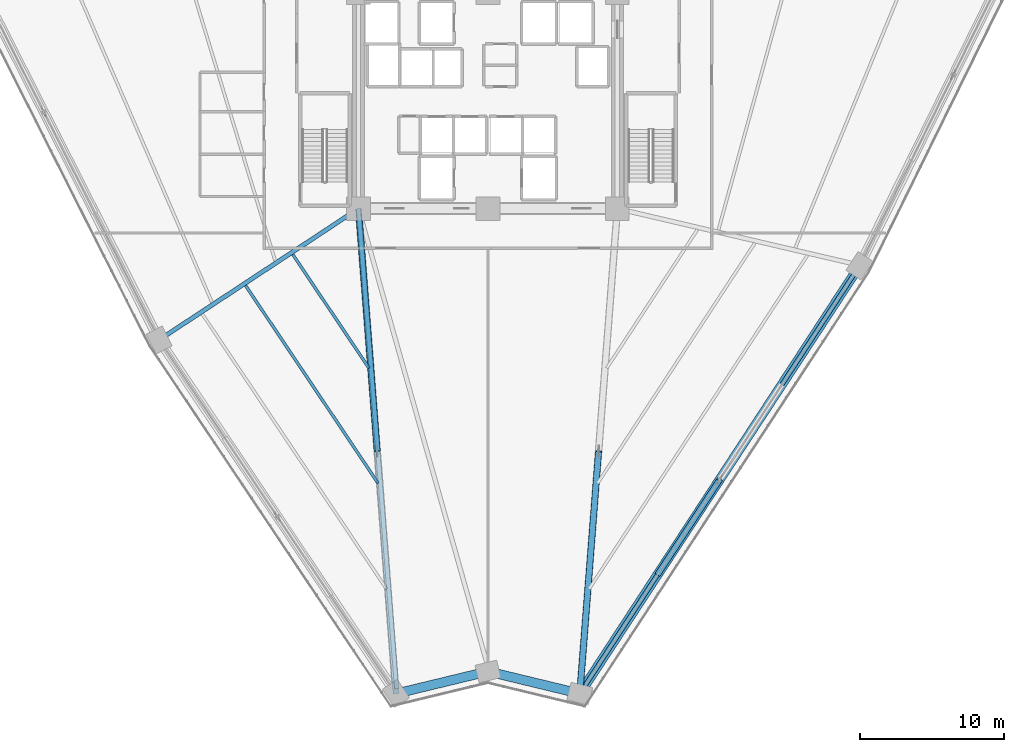
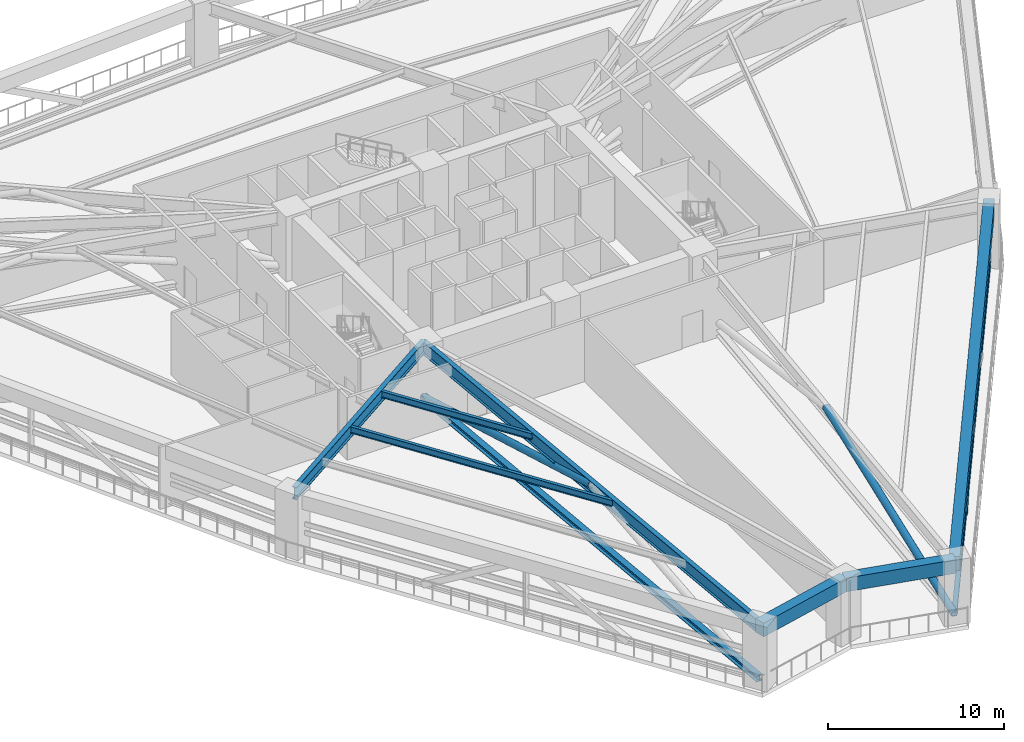
# One storey, part 3 of 25: 7 beams, 5 members.
"""IFC4 building model written with IfcOpenShell, lengths in metres."""

from ifc_helpers import new_model, si_unit, direction, frame, origin, origin_2d, place, context, subcontext, project, spatial, rectangle, hollow_rectangle, hollow_circle, i_section, extrude, source, transform, mapped, material, material_profile, profile_set, type_object, element, save


model = new_model("IFC4")

# Units and contexts
model_context = context("Model", 3, precision=1e-05, world=origin(), true_north=direction((0.0, 1.0)))
body_context = subcontext(model_context, "Body", "Model", "MODEL_VIEW")
ifc_project = project(units=[si_unit("LENGTHUNIT", "METRE"), si_unit("AREAUNIT", "SQUARE_METRE"), si_unit("VOLUMEUNIT", "CUBIC_METRE"), si_unit("PLANEANGLEUNIT", "RADIAN"), si_unit("MASSUNIT", "GRAM", prefix="KILO")], contexts=[model_context])

# Site, building, storey
site_placement = place(None, origin())
site = spatial("IfcSite", under=ifc_project, at=site_placement, CompositionType="ELEMENT")
building_placement = place(site_placement, origin())
building = spatial("IfcBuilding", under=site, at=building_placement, Name="Liaohun Quay Tower", CompositionType="ELEMENT")
storey_placement = place(building_placement, frame((0.0, 0.0, 47.25)))
storey = spatial("IfcBuildingStorey", under=building, at=storey_placement, Name="L12", CompositionType="ELEMENT", Elevation=47.25)

# Beams
ifc_material_1 = material(Name="Precast concrete C55", Category="concrete")
ifc_material_profile_1 = material_profile(ifc_material_1, rectangle(XDim=0.64990234375, YDim=0.949951171875, at=origin_2d()), Name="RC650x950")
ifc_profile_set_1 = profile_set([ifc_material_profile_1], Name="Precast concrete C55")
beam_type_1 = type_object("IfcBeamType", Name="BM-SPD-Z1", PredefinedType="SPANDREL", material=ifc_profile_set_1)
shared_shape_1 = source(origin(), body_context, "Body", "SweptSolid", [
    extrude(rectangle(XDim=0.64990234375, YDim=0.949951171875, at=origin_2d()), origin(), (0.0, 0.0, 1.0), 35.535400390625),
])
beam_1_placement = place(storey_placement, frame((85.833984375, 42.52392578125, 3.844970703125), z_axis=(-0.547256582154, -0.836964893701, 0.0), x_axis=(0.836964893701, -0.547256582154, 0.0)))
element("IfcBeam", 1, at=beam_1_placement, inside=storey, type_object=beam_type_1, Name="L12 Precast Spandrel Beam PC10-PC11", PredefinedType="SPANDREL", context=body_context, shape_type="MappedRepresentation", body=[
    mapped(shared_shape_1, transform((0.0, 0.0, 0.0), x_axis=(1.0, 0.0, 0.0), y_axis=(0.0, 1.0, 0.0), z_axis=(0.0, 0.0, 1.0), scale=1.0)),
])
shared_shape_2 = source(origin(), body_context, "Body", "SweptSolid", [
    extrude(rectangle(XDim=0.64990234375, YDim=0.949951171875, at=origin_2d()), origin(), (0.0, 0.0, 1.0), 6.570556640625),
])
beam_2_placement = place(storey_placement, frame((66.386962890625, 12.781982421875, 3.844970703125), z_axis=(-0.972071394357, 0.23468533033, 0.0), x_axis=(-0.23468533033, -0.972071394357, 0.0)))
element("IfcBeam", 2, at=beam_2_placement, inside=storey, type_object=beam_type_1, Name="L12 Precast Spandrel Beam PC11-PC12", PredefinedType="SPANDREL", context=body_context, shape_type="MappedRepresentation", body=[
    mapped(shared_shape_2, transform((0.0, 0.0, 0.0), x_axis=(1.0, 0.0, 0.0), y_axis=(0.0, 1.0, 0.0), z_axis=(0.0, 0.0, 1.0), scale=1.0)),
])
shared_shape_3 = source(origin(), body_context, "Body", "SweptSolid", [
    extrude(rectangle(XDim=0.64990234375, YDim=0.949951171875, at=origin_2d()), origin(), (0.0, 0.0, 1.0), 6.576904296875),
])
beam_3_placement = place(storey_placement, frame((60.0, 14.323974609375, 3.844970703125), z_axis=(-0.972054757289, -0.2347542307, 0.0), x_axis=(0.2347542307, -0.972054757289, 0.0)))
element("IfcBeam", 3, at=beam_3_placement, inside=storey, type_object=beam_type_1, Name="L12 Precast Spandrel Beam PC12-PC01", PredefinedType="SPANDREL", context=body_context, shape_type="MappedRepresentation", body=[
    mapped(shared_shape_3, transform((0.0, 0.0, 0.0), x_axis=(1.0, 0.0, 0.0), y_axis=(0.0, 1.0, 0.0), z_axis=(0.0, 0.0, 1.0), scale=1.0)),
])
ifc_material_2 = material(Name="Steel Q420D", Category="steel")
ifc_material_profile_2 = material_profile(ifc_material_2, i_section(OverallWidth=0.300048828125, OverallDepth=0.89990234375, WebThickness=0.01611328125, FlangeThickness=0.028076171875, at=origin_2d()), Name="HN900x300x16x28")
ifc_profile_set_2 = profile_set([ifc_material_profile_2], Name="Steel Q420D")
beam_type_2 = type_object("IfcBeamType", Name="BM-RAD-H1", PredefinedType="BEAM", material=ifc_profile_set_2)
shared_shape_4 = source(origin(), body_context, "Body", "SweptSolid", [
    extrude(i_section(OverallWidth=0.300048828125, OverallDepth=0.89990234375, WebThickness=0.01611328125, FlangeThickness=0.028076171875, at=origin_2d()), origin(), (0.0, 0.0, 1.0), 33.48486328125),
])
beam_4_placement = place(storey_placement, frame((51.0, 46.5, 3.8701171875), z_axis=(0.079465572867, -0.996837611012, 0.0), x_axis=(0.996837611012, 0.079465572867, 0.0)))
element("IfcBeam", 4, at=beam_4_placement, inside=storey, type_object=beam_type_2, Name="L12 Radial Primary Girder CC1-PC01", PredefinedType="BEAM", context=body_context, shape_type="MappedRepresentation", body=[
    mapped(shared_shape_4, transform((0.0, 0.0, 0.0), x_axis=(1.0, 0.0, 0.0), y_axis=(0.0, 1.0, 0.0), z_axis=(0.0, 0.0, 1.0), scale=1.0)),
])
ifc_material_3 = material(Name="Steel Q355D", Category="steel")
ifc_material_profile_3 = material_profile(ifc_material_3, i_section(OverallWidth=0.300048828125, OverallDepth=0.85009765625, WebThickness=0.01611328125, FlangeThickness=0.028076171875, at=origin_2d()), Name="HN850x300x16x28")
ifc_profile_set_3 = profile_set([ifc_material_profile_3], Name="Steel Q355D")
beam_type_3 = type_object("IfcBeamType", Name="BM-RAD-H2", PredefinedType="BEAM", material=ifc_profile_set_3)
shared_shape_5 = source(origin(), body_context, "Body", "SweptSolid", [
    extrude(i_section(OverallWidth=0.300048828125, OverallDepth=0.85009765625, WebThickness=0.01611328125, FlangeThickness=0.028076171875, at=origin_2d()), origin(), (0.0, 0.0, 1.0), 16.373291015625),
])
beam_5_placement = place(storey_placement, frame((51.0, 46.5, 3.89501953125), z_axis=(-0.835261562215, -0.549852819113, 0.0), x_axis=(0.549852819113, -0.835261562215, 0.0)))
element("IfcBeam", 5, at=beam_5_placement, inside=storey, type_object=beam_type_3, Name="L12 Radial Primary Girder CC1-PC02", PredefinedType="BEAM", context=body_context, shape_type="MappedRepresentation", body=[
    mapped(shared_shape_5, transform((0.0, 0.0, 0.0), x_axis=(1.0, 0.0, 0.0), y_axis=(0.0, 1.0, 0.0), z_axis=(0.0, 0.0, 1.0), scale=1.0)),
])
ifc_material_profile_4 = material_profile(ifc_material_3, i_section(OverallWidth=0.199951171875, OverallDepth=0.449951171875, WebThickness=0.009033203125, FlangeThickness=0.013916015625, at=origin_2d()), Name="HN450x200x9x14")
ifc_profile_set_4 = profile_set([ifc_material_profile_4], Name="Steel Q355D")
beam_type_4 = type_object("IfcBeamType", Name="BM-SEC-J1", PredefinedType="JOIST", material=ifc_profile_set_4)
shared_shape_6 = source(origin(), body_context, "Body", "SweptSolid", [
    extrude(i_section(OverallWidth=0.199951171875, OverallDepth=0.449951171875, WebThickness=0.009033203125, FlangeThickness=0.013916015625, at=origin_2d()), origin(), (0.0, 0.0, 1.0), 9.51953125),
])
beam_6_placement = place(storey_placement, frame((51.73388671875, 35.406005859375, 4.094970703125), z_axis=(-0.556722613458, 0.830698460131, 0.0), x_axis=(-0.830698460131, -0.556722613458, 0.0)))
element("IfcBeam", 6, at=beam_6_placement, inside=storey, type_object=beam_type_4, Name="L12 Wing Secondary Floor Joist SJ-01", PredefinedType="JOIST", context=body_context, shape_type="MappedRepresentation", body=[
    mapped(shared_shape_6, transform((0.0, 0.0, 0.0), x_axis=(1.0, 0.0, 0.0), y_axis=(0.0, 1.0, 0.0), z_axis=(0.0, 0.0, 1.0), scale=1.0)),
])
shared_shape_7 = source(origin(), body_context, "Body", "SweptSolid", [
    extrude(i_section(OverallWidth=0.199951171875, OverallDepth=0.449951171875, WebThickness=0.009033203125, FlangeThickness=0.013916015625, at=origin_2d()), origin(), (0.0, 0.0, 1.0), 16.563720703125),
])
beam_7_placement = place(storey_placement, frame((52.373046875, 27.39501953125, 4.094970703125), z_axis=(-0.556766535682, 0.830669022382, 0.0), x_axis=(-0.830669022382, -0.556766535682, 0.0)))
element("IfcBeam", 7, at=beam_7_placement, inside=storey, type_object=beam_type_4, Name="L12 Wing Secondary Floor Joist SJ-02", PredefinedType="JOIST", context=body_context, shape_type="MappedRepresentation", body=[
    mapped(shared_shape_7, transform((0.0, 0.0, 0.0), x_axis=(1.0, 0.0, 0.0), y_axis=(0.0, 1.0, 0.0), z_axis=(0.0, 0.0, 1.0), scale=1.0)),
])

# Members
ifc_material_profile_5 = material_profile(ifc_material_2, i_section(OverallWidth=0.405029296875, OverallDepth=0.4140625, WebThickness=0.01806640625, FlangeThickness=0.028076171875, at=origin_2d()), Name="HW414x405x18x28")
ifc_profile_set_5 = profile_set([ifc_material_profile_5], Name="Steel Q420D")
member_type_1 = type_object("IfcMemberType", Name="MEM-OUT-CHD", PredefinedType="CHORD", material=ifc_profile_set_5)
shared_shape_8 = source(origin(), body_context, "Body", "SweptSolid", [
    extrude(i_section(OverallWidth=0.405029296875, OverallDepth=0.4140625, WebThickness=0.01806640625, FlangeThickness=0.028076171875, at=origin_2d()), origin(), (0.0, 0.0, 1.0), 33.820556640625),
])
member_1_placement = place(storey_placement, frame((51.0, 46.5, 0.35009765625), z_axis=(0.07708124974, -0.997024814605, 0.0), x_axis=(0.997024814605, 0.07708124974, 0.0)))
element("IfcMember", 8, at=member_1_placement, inside=storey, type_object=member_type_1, Name="L12 Outrigger Bottom Chord OC-01", PredefinedType="CHORD", context=body_context, shape_type="MappedRepresentation", body=[
    mapped(shared_shape_8, transform((0.0, 0.0, 0.0), x_axis=(1.0, 0.0, 0.0), y_axis=(0.0, 1.0, 0.0), z_axis=(0.0, 0.0, 1.0), scale=1.0)),
])
ifc_material_profile_6 = material_profile(ifc_material_2, hollow_circle(Radius=0.228515625, WallThickness=0.02001953125, at=origin_2d()), Name="CHS457x20")
ifc_profile_set_6 = profile_set([ifc_material_profile_6], Name="Steel Q420D")
member_type_2 = type_object("IfcMemberType", Name="MEM-OUT-DG1", PredefinedType="BRACE", material=ifc_profile_set_6)
shared_shape_9 = source(origin(), body_context, "Body", "SweptSolid", [
    extrude(hollow_circle(Radius=0.228515625, WallThickness=0.02001953125, at=origin_2d()), origin(), (0.0, 0.0, 1.0), 17.303955078125),
])
member_2_placement = place(storey_placement, frame((51.0, 46.5, 0.35009765625), z_axis=(0.075299155583, -0.974345959411, 0.212084861667), x_axis=(0.997027076138, 0.077051991853, 0.0)))
element("IfcMember", 9, at=member_2_placement, inside=storey, type_object=member_type_2, Name="L12 Outrigger Diagonal OD-01A", PredefinedType="BRACE", context=body_context, shape_type="MappedRepresentation", body=[
    mapped(shared_shape_9, transform((0.0, 0.0, 0.0), x_axis=(1.0, 0.0, 0.0), y_axis=(0.0, 1.0, 0.0), z_axis=(0.0, 0.0, 1.0), scale=1.0)),
])
shared_shape_10 = source(origin(), body_context, "Body", "SweptSolid", [
    extrude(hollow_circle(Radius=0.228515625, WallThickness=0.02001953125, at=origin_2d()), origin(), (0.0, 0.0, 1.0), 17.303466796875),
])
member_3_placement = place(storey_placement, frame((67.694091796875, 29.64111328125, 4.02001953125), z_axis=(-0.075541794047, -0.974325474019, -0.212092687357), x_axis=(0.997007846594, -0.077300412869, 0.0)))
element("IfcMember", 10, at=member_3_placement, inside=storey, type_object=member_type_2, Name="L12 Outrigger Diagonal OD-06B", PredefinedType="BRACE", context=body_context, shape_type="MappedRepresentation", body=[
    mapped(shared_shape_10, transform((0.0, 0.0, 0.0), x_axis=(1.0, 0.0, 0.0), y_axis=(0.0, 1.0, 0.0), z_axis=(0.0, 0.0, 1.0), scale=1.0)),
])
ifc_material_profile_7 = material_profile(ifc_material_3, i_section(OverallWidth=0.300048828125, OverallDepth=0.300048828125, WebThickness=0.010009765625, FlangeThickness=0.014892578125, at=origin_2d()), Name="HW300x300x10x15")
ifc_profile_set_7 = profile_set([ifc_material_profile_7], Name="Steel Q355D")
member_type_3 = type_object("IfcMemberType", Name="MEM-BLT-CHD", PredefinedType="CHORD", material=ifc_profile_set_7)
shared_shape_11 = source(origin(), body_context, "Body", "SweptSolid", [
    extrude(i_section(OverallWidth=0.300048828125, OverallDepth=0.300048828125, WebThickness=0.010009765625, FlangeThickness=0.014892578125, at=origin_2d()), origin(), (0.0, 0.0, 1.0), 35.535400390625),
])
member_4_placement = place(storey_placement, frame((85.833984375, 42.52392578125, 0.35009765625), z_axis=(-0.547256582154, -0.836964893701, 0.0), x_axis=(0.836964893701, -0.547256582154, 0.0)))
element("IfcMember", 11, at=member_4_placement, inside=storey, type_object=member_type_3, Name="L12 Belt Truss Bottom Chord BC-1-06", PredefinedType="CHORD", context=body_context, shape_type="MappedRepresentation", body=[
    mapped(shared_shape_11, transform((0.0, 0.0, 0.0), x_axis=(1.0, 0.0, 0.0), y_axis=(0.0, 1.0, 0.0), z_axis=(0.0, 0.0, 1.0), scale=1.0)),
])
ifc_material_profile_8 = material_profile(ifc_material_2, hollow_rectangle(XDim=0.39990234375, YDim=0.39990234375, WallThickness=0.02001953125, at=origin_2d()), Name="SHS400x400x20")
ifc_profile_set_8 = profile_set([ifc_material_profile_8], Name="Steel Q420D")
member_type_4 = type_object("IfcMemberType", Name="MEM-BLT-DG1", PredefinedType="BRACE", material=ifc_profile_set_8)
shared_shape_12 = source(origin(), body_context, "Body", "SweptSolid", [
    extrude(hollow_rectangle(XDim=0.39990234375, YDim=0.39990234375, WallThickness=0.02001953125, at=origin_2d()), origin(), (0.0, 0.0, 1.0), 8.636474609375),
])
member_5_placement = place(storey_placement, frame((76.111083984375, 27.653076171875, 4.02001953125), z_axis=(-0.495461684402, -0.757595318193, -0.424931821757), x_axis=(0.836913496048, -0.547335180792, 0.0)))
element("IfcMember", 12, at=member_5_placement, inside=storey, type_object=member_type_4, Name="L12 Belt Truss Diagonal BD-06B", PredefinedType="BRACE", context=body_context, shape_type="MappedRepresentation", body=[
    mapped(shared_shape_12, transform((0.0, 0.0, 0.0), x_axis=(1.0, 0.0, 0.0), y_axis=(0.0, 1.0, 0.0), z_axis=(0.0, 0.0, 1.0), scale=1.0)),
])

save(model, "model.ifc")
